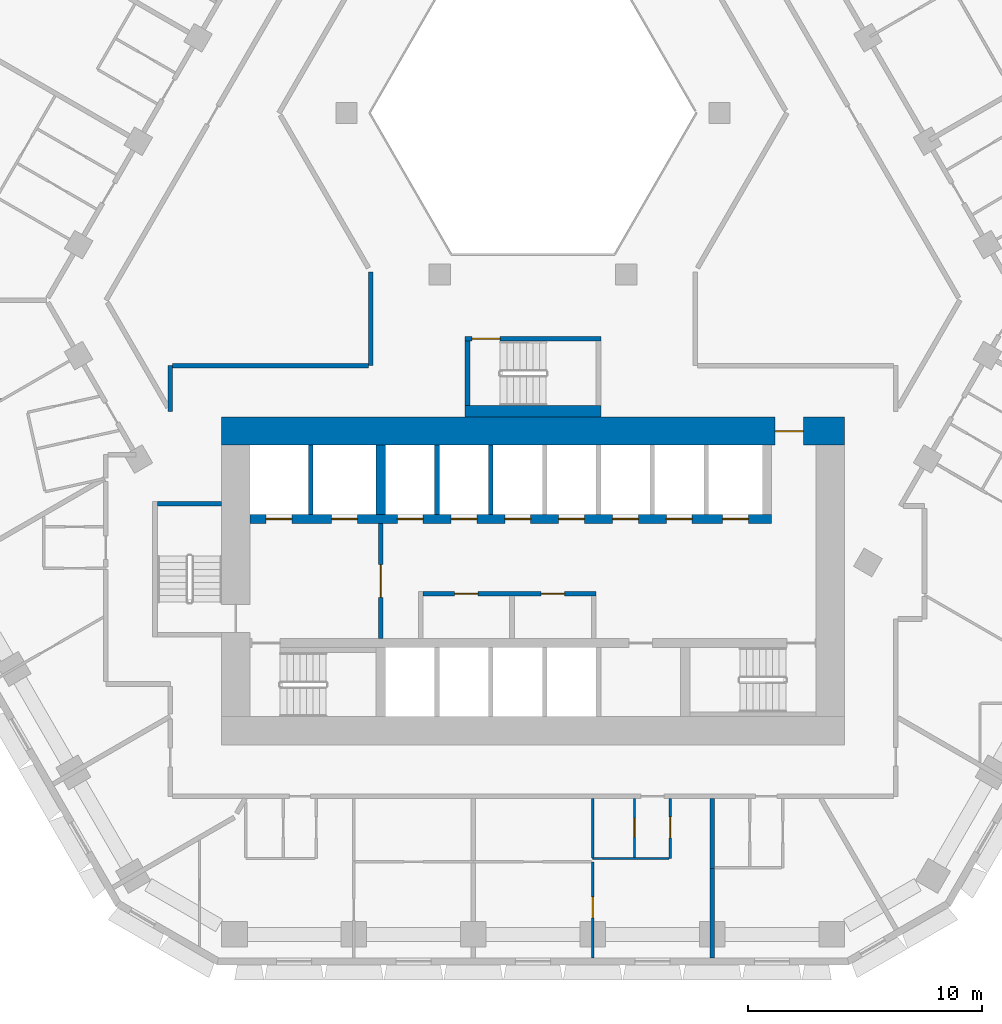
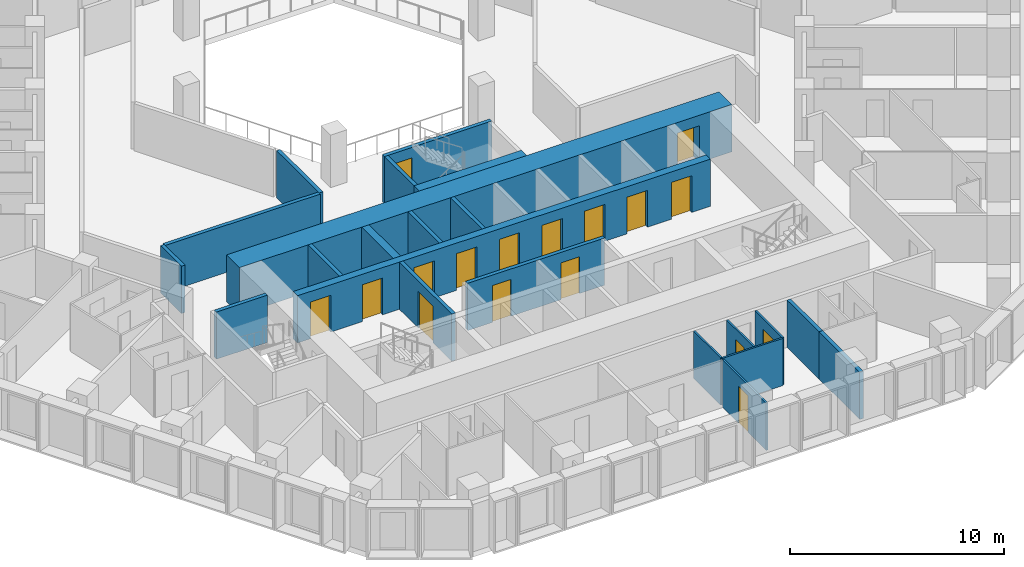
# One storey, part 5 of 16: 22 walls, 17 doors, 17 openings.
"""IFC4 building model written with IfcOpenShell, lengths in metres."""

from ifc_helpers import new_model, si_unit, direction, frame, frame_2d, origin, place, context, subcontext, project, spatial, rectangle, extrude, material, layer, layer_set, type_object, element, fill, save


model = new_model("IFC4")

# Units and contexts
model_context = context("Model", 3, precision=1e-05, world=origin(), true_north=direction((0.0, 1.0)))
body_context = subcontext(model_context, "Body", "Model", "MODEL_VIEW")
ifc_project = project(units=[si_unit("LENGTHUNIT", "METRE"), si_unit("AREAUNIT", "SQUARE_METRE"), si_unit("VOLUMEUNIT", "CUBIC_METRE"), si_unit("PLANEANGLEUNIT", "RADIAN"), si_unit("MASSUNIT", "GRAM", prefix="KILO")], contexts=[model_context])

# Site, building, storey
site_placement = place(None, origin())
site = spatial("IfcSite", under=ifc_project, at=site_placement, CompositionType="ELEMENT")
building_placement = place(site_placement, origin())
building = spatial("IfcBuilding", under=site, at=building_placement, Name="Beryl Residences", CompositionType="ELEMENT")
storey_placement = place(building_placement, frame((0.0, 0.0, 44.39990234375)))
storey = spatial("IfcBuildingStorey", under=building, at=storey_placement, Name="L13", CompositionType="ELEMENT", Elevation=44.39990234375)

# Walls
ifc_material_1 = material(Name="Gypsum board partition on steel studs", Category="steel")
ifc_layer_1 = layer(ifc_material_1, 0.10009765625)
ifc_layer_set_1 = layer_set([ifc_layer_1], Name="PT1 partition 100 mm gypsum board on steel studs")
wall_type_1 = type_object("IfcWallType", Name="PT1 partition 100 mm gypsum board on steel studs", PredefinedType="PARTITIONING", material=ifc_layer_set_1)
wall_1_placement = place(storey_placement, frame((2.552978515625, -21.300048828125, 0.0), z_axis=(0.0, 0.0, 1.0), x_axis=(0.0, -1.0, 0.0)))
element("IfcWall", 1, at=wall_1_placement, inside=storey, type_object=wall_type_1, Name="Wall PT1 L13 010", PredefinedType="PARTITIONING", context=body_context, shape_type="SweptSolid", body=[
    extrude(rectangle(XDim=2.530029296875, YDim=0.10009765625, at=frame_2d((1.26513671875, 0.0))), origin(), (0.0, 0.0, 1.0), 2.7001953125),
])
wall_2_placement = place(storey_placement, frame((2.552978515625, -23.860107421875, 0.0), z_axis=(0.0, 0.0, 1.0), x_axis=(1.0, 0.0, 0.0)))
element("IfcWall", 2, at=wall_2_placement, inside=storey, type_object=wall_type_1, Name="Wall PT1 L13 029", PredefinedType="PARTITIONING", context=body_context, shape_type="SweptSolid", body=[
    extrude(rectangle(XDim=3.26708984375, YDim=0.10009765625, at=frame_2d((1.633544921875, 0.0))), origin(), (0.0, 0.0, 1.0), 2.7001953125),
])

# Wall, opening, door
wall_3_placement = place(storey_placement, frame((4.339111328125, -23.81005859375, 0.0), z_axis=(0.0, 0.0, 1.0), x_axis=(0.0, 1.0, 0.0)))
wall_3 = element("IfcWall", 3, at=wall_3_placement, inside=storey, type_object=wall_type_1, Name="Wall PT1 L13 041", PredefinedType="PARTITIONING", context=body_context, shape_type="SweptSolid", body=[
    extrude(rectangle(XDim=2.510009765625, YDim=0.10009765625, at=frame_2d((1.2548828125, 0.0))), origin(), (0.0, 0.0, 1.0), 2.7001953125),
])
opening_1_placement = place(wall_3_placement, frame((0.8798828125, 0.0, 0.0)))
opening_1 = element("IfcOpeningElement", 4, at=opening_1_placement, cuts=wall_3, Name="Opening D0529", PredefinedType="OPENING", context=body_context, shape_type="SweptSolid", body=[
    extrude(rectangle(XDim=0.800048828125, YDim=2.10009765625, at=frame_2d((0.39990234375, 1.050048828125))), frame((0.0, 0.06005859375, 0.0), z_axis=(0.0, -1.0, 0.0), x_axis=(1.0, 0.0, 0.0)), (0.0, 0.0, 1.0), 0.1201171875),
])
ifc_material_2 = material(Name="Timber door leaf", Category="wood")
door_type_1 = type_object("IfcDoorType", Name="D3 bathroom door 800 x 2100 mm", OperationType="SINGLE_SWING_LEFT", PredefinedType="DOOR", material=ifc_material_2)
door_1_placement = place(opening_1_placement, origin())
door_1 = element("IfcDoor", 5, at=door_1_placement, inside=storey, type_object=door_type_1, Name="Door D0529 L13 001", OperationType="SINGLE_SWING_LEFT", OverallHeight=2.10009765625, OverallWidth=0.800048828125, PredefinedType="DOOR", context=body_context, shape_type="SweptSolid", body=[
    extrude(rectangle(XDim=0.800048828125, YDim=2.10009765625, at=frame_2d((0.39990234375, 1.050048828125))), frame((0.0, 0.02490234375, 0.0), z_axis=(0.0, -1.0, 0.0), x_axis=(1.0, 0.0, 0.0)), (0.0, 0.0, 1.0), 0.050048828125),
])
fill(opening_1, door_1)

wall_4_placement = place(storey_placement, frame((5.87109375, -23.85888671875, 0.0), z_axis=(0.0, 0.0, 1.0), x_axis=(0.0, 1.0, 0.0)))
wall_4 = element("IfcWall", 6, at=wall_4_placement, inside=storey, type_object=wall_type_1, Name="Wall PT1 L13 042", PredefinedType="PARTITIONING", context=body_context, shape_type="SweptSolid", body=[
    extrude(rectangle(XDim=2.558837890625, YDim=0.10009765625, at=frame_2d((1.279296875, 0.0))), origin(), (0.0, 0.0, 1.0), 2.7001953125),
])
opening_2_placement = place(wall_4_placement, frame((0.87890625, 0.0, 0.0)))
opening_2 = element("IfcOpeningElement", 7, at=opening_2_placement, cuts=wall_4, Name="Opening D0528", PredefinedType="OPENING", context=body_context, shape_type="SweptSolid", body=[
    extrude(rectangle(XDim=0.89990234375, YDim=2.10009765625, at=frame_2d((0.449951171875, 1.050048828125))), frame((0.0, 0.06005859375, 0.0), z_axis=(0.0, -1.0, 0.0), x_axis=(1.0, 0.0, 0.0)), (0.0, 0.0, 1.0), 0.1201171875),
])
ifc_material_3 = material(Name="Timber door leaf", Category="wood")
door_type_2 = type_object("IfcDoorType", Name="D2 room door 900 x 2100 mm", OperationType="SINGLE_SWING_LEFT", PredefinedType="DOOR", material=ifc_material_3)
door_2_placement = place(opening_2_placement, origin())
door_2 = element("IfcDoor", 8, at=door_2_placement, inside=storey, type_object=door_type_2, Name="Door D0528 L13 001", OperationType="SINGLE_SWING_RIGHT", OverallHeight=2.10009765625, OverallWidth=0.89990234375, PredefinedType="DOOR", context=body_context, shape_type="SweptSolid", body=[
    extrude(rectangle(XDim=0.89990234375, YDim=2.10009765625, at=frame_2d((0.449951171875, 1.050048828125))), frame((0.0, 0.02490234375, 0.0), z_axis=(0.0, -1.0, 0.0), x_axis=(1.0, 0.0, 0.0)), (0.0, 0.0, 1.0), 0.050048828125),
])
fill(opening_2, door_2)

wall_5_placement = place(storey_placement, frame((2.552978515625, -28.10009765625, 0.0), z_axis=(0.0, 0.0, 1.0), x_axis=(0.0, 1.0, 0.0)))
wall_5 = element("IfcWall", 9, at=wall_5_placement, inside=storey, type_object=wall_type_1, Name="Wall PT1 L13 048", PredefinedType="PARTITIONING", context=body_context, shape_type="SweptSolid", body=[
    extrude(rectangle(XDim=4.10009765625, YDim=0.10009765625, at=frame_2d((2.050048828125, 0.0))), origin(), (0.0, 0.0, 1.0), 2.7001953125),
])
opening_3_placement = place(wall_5_placement, frame((1.699951171875, 0.0, 0.0)))
opening_3 = element("IfcOpeningElement", 10, at=opening_3_placement, cuts=wall_5, Name="Opening D0530", PredefinedType="OPENING", context=body_context, shape_type="SweptSolid", body=[
    extrude(rectangle(XDim=0.89990234375, YDim=2.10009765625, at=frame_2d((0.449951171875, 1.050048828125))), frame((0.0, 0.06005859375, 0.0), z_axis=(0.0, -1.0, 0.0), x_axis=(1.0, 0.0, 0.0)), (0.0, 0.0, 1.0), 0.1201171875),
])
door_3_placement = place(opening_3_placement, origin())
door_3 = element("IfcDoor", 11, at=door_3_placement, inside=storey, type_object=door_type_2, Name="Door D0530 L13 001", OperationType="SINGLE_SWING_RIGHT", OverallHeight=2.10009765625, OverallWidth=0.89990234375, PredefinedType="DOOR", context=body_context, shape_type="SweptSolid", body=[
    extrude(rectangle(XDim=0.89990234375, YDim=2.10009765625, at=frame_2d((0.449951171875, 1.050048828125))), frame((0.0, 0.02490234375, 0.0), z_axis=(0.0, -1.0, 0.0), x_axis=(1.0, 0.0, 0.0)), (0.0, 0.0, 1.0), 0.050048828125),
])
fill(opening_3, door_3)

ifc_material_4 = material(Name="Concrete masonry", Category="masonry")
ifc_layer_2 = layer(ifc_material_4, 0.199951171875)
ifc_layer_set_2 = layer_set([ifc_layer_2], Name="PT13 lobby wall 200 mm")
wall_type_2 = type_object("IfcWallType", Name="PT13 lobby wall 200 mm", PredefinedType="PARTITIONING", material=ifc_layer_set_2)
wall_6_placement = place(storey_placement, frame((-6.5, -14.449951171875, 0.0), z_axis=(0.0, 0.0, 1.0), x_axis=(0.0, 1.0, 0.0)))
wall_6 = element("IfcWall", 12, at=wall_6_placement, inside=storey, type_object=wall_type_2, Name="Lobby wall 06", PredefinedType="PARTITIONING", context=body_context, shape_type="SweptSolid", body=[
    extrude(rectangle(XDim=4.89990234375, YDim=0.199951171875, at=frame_2d((2.449951171875, 0.0))), origin(), (0.0, 0.0, 1.0), 2.7001953125),
])
opening_4_placement = place(wall_6_placement, frame((3.14990234375, 0.0, 0.0), z_axis=(0.0, 0.0, 1.0), x_axis=(-1.0, 0.0, 0.0)))
opening_4 = element("IfcOpeningElement", 13, at=opening_4_placement, cuts=wall_6, Name="Opening FD-FFL", PredefinedType="OPENING", context=body_context, shape_type="SweptSolid", body=[
    extrude(rectangle(XDim=1.39990234375, YDim=2.10009765625, at=frame_2d((0.699951171875, 1.050048828125))), frame((0.0, 0.10986328125, 0.0), z_axis=(0.0, -1.0, 0.0), x_axis=(1.0, 0.0, 0.0)), (0.0, 0.0, 1.0), 0.219970703125),
])
ifc_material_5 = material(Name="Steel door leaf in steel frame", Category="steel")
door_type_3 = type_object("IfcDoorType", Name="D5 lobby door 1400 x 2100 mm", OperationType="DOUBLE_DOOR_SINGLE_SWING", PredefinedType="DOOR", material=ifc_material_5)
door_4_placement = place(opening_4_placement, origin())
door_4 = element("IfcDoor", 14, at=door_4_placement, inside=storey, type_object=door_type_3, Name="Door FD-FFL L13 001", OperationType="DOUBLE_DOOR_SINGLE_SWING", OverallHeight=2.10009765625, OverallWidth=1.39990234375, PredefinedType="DOOR", context=body_context, shape_type="SweptSolid", body=[
    extrude(rectangle(XDim=1.39990234375, YDim=2.10009765625, at=frame_2d((0.699951171875, 1.050048828125))), frame((0.0, 0.02490234375, 0.0), z_axis=(0.0, -1.0, 0.0), x_axis=(1.0, 0.0, 0.0)), (0.0, 0.0, 1.0), 0.050048828125),
])
fill(opening_4, door_4)

# Wall, openings, doors
wall_7_placement = place(storey_placement, frame((-4.699951171875, -12.550048828125, 0.0), z_axis=(0.0, 0.0, 1.0), x_axis=(1.0, 0.0, 0.0)))
wall_7 = element("IfcWall", 15, at=wall_7_placement, inside=storey, type_object=wall_type_2, Name="Lobby wall 08", PredefinedType="PARTITIONING", context=body_context, shape_type="SweptSolid", body=[
    extrude(rectangle(XDim=7.39990234375, YDim=0.199951171875, at=frame_2d((3.699951171875, 0.0))), origin(), (0.0, 0.0, 1.0), 2.7001953125),
])
opening_5_placement = place(wall_7_placement, frame((2.35009765625, 0.0, 0.0), z_axis=(0.0, 0.0, 1.0), x_axis=(-1.0, 0.0, 0.0)))
opening_5 = element("IfcOpeningElement", 16, at=opening_5_placement, cuts=wall_7, Name="Opening CD-D-A1", PredefinedType="OPENING", context=body_context, shape_type="SweptSolid", body=[
    extrude(rectangle(XDim=1.0, YDim=2.10009765625, at=frame_2d((0.5, 1.050048828125))), frame((0.0, 0.10986328125, 0.0), z_axis=(0.0, -1.0, 0.0), x_axis=(1.0, 0.0, 0.0)), (0.0, 0.0, 1.0), 0.219970703125),
])
opening_6_placement = place(wall_7_placement, frame((6.050048828125, 0.0, 0.0), z_axis=(0.0, 0.0, 1.0), x_axis=(-1.0, 0.0, 0.0)))
opening_6 = element("IfcOpeningElement", 17, at=opening_6_placement, cuts=wall_7, Name="Opening CD-D-A2", PredefinedType="OPENING", context=body_context, shape_type="SweptSolid", body=[
    extrude(rectangle(XDim=1.0, YDim=2.10009765625, at=frame_2d((0.5, 1.050048828125))), frame((0.0, 0.10986328125, 0.0), z_axis=(0.0, -1.0, 0.0), x_axis=(1.0, 0.0, 0.0)), (0.0, 0.0, 1.0), 0.219970703125),
])
ifc_material_6 = material(Name="Steel door leaf in steel frame", Category="steel")
door_type_4 = type_object("IfcDoorType", Name="D18 service room door 1000 x 2100 mm", OperationType="SINGLE_SWING_LEFT", PredefinedType="DOOR", material=ifc_material_6)
door_5_placement = place(opening_5_placement, origin())
door_5 = element("IfcDoor", 18, at=door_5_placement, inside=storey, type_object=door_type_4, Name="Door CD-D-A1 L13 001", OperationType="SINGLE_SWING_RIGHT", OverallHeight=2.10009765625, OverallWidth=1.0, PredefinedType="DOOR", context=body_context, shape_type="SweptSolid", body=[
    extrude(rectangle(XDim=1.0, YDim=2.10009765625, at=frame_2d((0.5, 1.050048828125))), frame((0.0, 0.02490234375, 0.0), z_axis=(0.0, -1.0, 0.0), x_axis=(1.0, 0.0, 0.0)), (0.0, 0.0, 1.0), 0.050048828125),
])
fill(opening_5, door_5)
door_6_placement = place(opening_6_placement, origin())
door_6 = element("IfcDoor", 19, at=door_6_placement, inside=storey, type_object=door_type_4, Name="Door CD-D-A2 L13 001", OperationType="SINGLE_SWING_LEFT", OverallHeight=2.10009765625, OverallWidth=1.0, PredefinedType="DOOR", context=body_context, shape_type="SweptSolid", body=[
    extrude(rectangle(XDim=1.0, YDim=2.10009765625, at=frame_2d((0.5, 1.050048828125))), frame((0.0, 0.02490234375, 0.0), z_axis=(0.0, -1.0, 0.0), x_axis=(1.0, 0.0, 0.0)), (0.0, 0.0, 1.0), 0.050048828125),
])
fill(opening_6, door_6)

# Walls
ifc_material_7 = material(Name="Acoustic double stud gypsum board wall")
ifc_layer_3 = layer(ifc_material_7, 0.199951171875)
ifc_layer_set_3 = layer_set([ifc_layer_3], Name="PT3 party wall 200 mm acoustic double stud")
wall_type_3 = type_object("IfcWallType", Name="PT3 party wall 200 mm acoustic double stud", PredefinedType="PARTITIONING", material=ifc_layer_set_3)
wall_8_placement = place(storey_placement, frame((7.656982421875, -21.300048828125, 0.0), z_axis=(0.0, 0.0, 1.0), x_axis=(0.0, -1.0, 0.0)))
element("IfcWall", 20, at=wall_8_placement, inside=storey, type_object=wall_type_3, Name="Wall PT3 L13 003", PredefinedType="PARTITIONING", context=body_context, shape_type="SweptSolid", body=[
    extrude(rectangle(XDim=2.97998046875, YDim=0.199951171875, at=frame_2d((1.489990234375, 0.0))), origin(), (0.0, 0.0, 1.0), 2.7001953125),
])
wall_9_placement = place(storey_placement, frame((7.656982421875, -28.10009765625, 0.0), z_axis=(0.0, 0.0, 1.0), x_axis=(0.0, 1.0, 0.0)))
element("IfcWall", 21, at=wall_9_placement, inside=storey, type_object=wall_type_3, Name="Wall PT3 L13 013", PredefinedType="PARTITIONING", context=body_context, shape_type="SweptSolid", body=[
    extrude(rectangle(XDim=3.860107421875, YDim=0.199951171875, at=frame_2d((1.93017578125, 0.0))), origin(), (0.0, 0.0, 1.0), 2.7001953125),
])
ifc_material_8 = material(Name="Double stud gypsum board wall")
ifc_layer_4 = layer(ifc_material_8, 0.199951171875)
ifc_layer_set_4 = layer_set([ifc_layer_4], Name="PT4 corridor wall 200 mm double stud")
wall_type_4 = type_object("IfcWallType", Name="PT4 corridor wall 200 mm double stud", PredefinedType="PARTITIONING", material=ifc_layer_set_4)
wall_10_placement = place(storey_placement, frame((-15.39990234375, -2.800048828125, 0.0), z_axis=(0.0, 0.0, 1.0), x_axis=(1.0, 0.0, 0.0)))
element("IfcWall", 22, at=wall_10_placement, inside=storey, type_object=wall_type_4, Name="Wall PT4 L13 015", PredefinedType="PARTITIONING", context=body_context, shape_type="SweptSolid", body=[
    extrude(rectangle(XDim=8.371826171875, YDim=0.199951171875, at=frame_2d((4.18603515625, 0.0))), origin(), (0.0, 0.0, 1.0), 2.7001953125),
])
wall_11_placement = place(storey_placement, frame((-6.927978515625, -2.800048828125, 0.0), z_axis=(0.0, 0.0, 1.0), x_axis=(0.0, 1.0, 0.0)))
element("IfcWall", 23, at=wall_11_placement, inside=storey, type_object=wall_type_4, Name="Wall PT4 L13 030", PredefinedType="PARTITIONING", context=body_context, shape_type="SweptSolid", body=[
    extrude(rectangle(XDim=4.0, YDim=0.199951171875, at=frame_2d((2.0, 0.0))), origin(), (0.0, 0.0, 1.0), 2.7001953125),
])
wall_12_placement = place(storey_placement, frame((-15.5, -4.75390625, 0.0), z_axis=(0.0, 0.0, 1.0), x_axis=(0.0, 1.0, 0.0)))
element("IfcWall", 24, at=wall_12_placement, inside=storey, type_object=wall_type_4, Name="Wall PT4 L13 032", PredefinedType="PARTITIONING", context=body_context, shape_type="SweptSolid", body=[
    extrude(rectangle(XDim=1.953857421875, YDim=0.199951171875, at=frame_2d((0.97705078125, 0.0))), origin(), (0.0, 0.0, 1.0), 2.7001953125),
])

# Wall, opening, door
ifc_material_9 = material(Name="Concrete C40/50", Category="concrete")
ifc_layer_5 = layer(ifc_material_9, 0.199951171875)
ifc_layer_set_5 = layer_set([ifc_layer_5], Name="PT5 stair enclosure wall 200 mm reinforced concrete C40/50")
wall_type_5 = type_object("IfcWallType", Name="PT5 stair enclosure wall 200 mm reinforced concrete C40/50", PredefinedType="SOLIDWALL", material=ifc_layer_set_5)
wall_13_placement = place(storey_placement, frame((-2.89990234375, -1.64990234375, 0.0), z_axis=(0.0, 0.0, 1.0), x_axis=(1.0, 0.0, 0.0)))
wall_13 = element("IfcWall", 25, at=wall_13_placement, inside=storey, type_object=wall_type_5, Name="Wall PT5 L13 001", PredefinedType="SOLIDWALL", context=body_context, shape_type="SweptSolid", body=[
    extrude(rectangle(XDim=5.7998046875, YDim=0.199951171875, at=frame_2d((2.89990234375, 0.0))), origin(), (0.0, 0.0, 1.0), 2.7001953125),
])
opening_7_placement = place(wall_13_placement, frame((0.300048828125, 0.0, 0.0)))
opening_7 = element("IfcOpeningElement", 26, at=opening_7_placement, cuts=wall_13, Name="Opening DS04", PredefinedType="OPENING", context=body_context, shape_type="SweptSolid", body=[
    extrude(rectangle(XDim=1.199951171875, YDim=2.10009765625, at=frame_2d((0.60009765625, 1.050048828125))), frame((0.0, 0.10986328125, 0.0), z_axis=(0.0, -1.0, 0.0), x_axis=(1.0, 0.0, 0.0)), (0.0, 0.0, 1.0), 0.219970703125),
])
ifc_material_10 = material(Name="Steel door leaf in steel frame", Category="steel")
door_type_5 = type_object("IfcDoorType", Name="D4 stair door 1200 x 2100 mm", OperationType="SINGLE_SWING_LEFT", PredefinedType="DOOR", material=ifc_material_10)
door_7_placement = place(opening_7_placement, origin())
door_7 = element("IfcDoor", 27, at=door_7_placement, inside=storey, type_object=door_type_5, Name="Door DS04 L13 001", OperationType="SINGLE_SWING_LEFT", OverallHeight=2.10009765625, OverallWidth=1.199951171875, PredefinedType="DOOR", context=body_context, shape_type="SweptSolid", body=[
    extrude(rectangle(XDim=1.199951171875, YDim=2.10009765625, at=frame_2d((0.60009765625, 1.050048828125))), frame((0.0, 0.02490234375, 0.0), z_axis=(0.0, -1.0, 0.0), x_axis=(1.0, 0.0, 0.0)), (0.0, 0.0, 1.0), 0.050048828125),
])
fill(opening_7, door_7)

# Walls
for number, where, z_axis, x_axis, name in (
    (28, (-2.800048828125, -4.5, 0.0), (0.0, 0.0, 1.0), (0.0, 1.0, 0.0), "Wall PT5 L13 002"),
    (29, (-16.050048828125, -8.699951171875, 0.0), (0.0, 0.0, 1.0), (1.0, 0.0, 0.0), "Stair wall 03"),
):
    element("IfcWall", number, at=place(storey_placement, frame(where, z_axis=z_axis, x_axis=x_axis)), inside=storey, type_object=wall_type_5, Name=name, PredefinedType="SOLIDWALL", context=body_context, shape_type="SweptSolid", body=[
        extrude(rectangle(XDim=2.75, YDim=0.199951171875, at=frame_2d((1.375, 0.0))), origin(), (0.0, 0.0, 1.0), 2.7001953125),
    ])
ifc_material_11 = material(Name="Concrete C40/50", Category="concrete")
ifc_layer_6 = layer(ifc_material_11, 0.5)
ifc_layer_set_6 = layer_set([ifc_layer_6], Name="PT5-500 stair enclosure wall 500 mm")
wall_type_6 = type_object("IfcWallType", Name="PT5-500 stair enclosure wall 500 mm", PredefinedType="SOLIDWALL", material=ifc_layer_set_6)
wall_14_placement = place(storey_placement, frame((-2.89990234375, -4.75, 0.0), z_axis=(0.0, 0.0, 1.0), x_axis=(1.0, 0.0, 0.0)))
element("IfcWall", 30, at=wall_14_placement, inside=storey, type_object=wall_type_6, Name="Wall PT5-500 L13 001", PredefinedType="SOLIDWALL", context=body_context, shape_type="SweptSolid", body=[
    extrude(rectangle(XDim=5.7998046875, YDim=0.5, at=frame_2d((2.89990234375, 0.0))), origin(), (0.0, 0.0, 1.0), 2.7001953125),
])
ifc_material_12 = material(Name="Concrete C40/50", Category="concrete")
ifc_layer_7 = layer(ifc_material_12, 0.199951171875)
ifc_layer_set_7 = layer_set([ifc_layer_7], Name="PT6 lift shaft wall 200 mm reinforced concrete C40/50")
wall_type_7 = type_object("IfcWallType", Name="PT6 lift shaft wall 200 mm reinforced concrete C40/50", PredefinedType="SOLIDWALL", material=ifc_layer_set_7)
for number, where, z_axis, x_axis, name in (
    (31, (-9.5, -9.14990234375, 0.0), (0.0, 0.0, 1.0), (0.0, 1.0, 0.0), "Lift shaft wall 05"),
    (32, (-4.10009765625, -9.14990234375, 0.0), (0.0, 0.0, 1.0), (0.0, 1.0, 0.0), "Lift shaft wall 10"),
    (33, (-1.800048828125, -9.14990234375, 0.0), (0.0, 0.0, 1.0), (0.0, 1.0, 0.0), "Lift shaft wall 12"),
):
    element("IfcWall", number, at=place(storey_placement, frame(where, z_axis=z_axis, x_axis=x_axis)), inside=storey, type_object=wall_type_7, Name=name, PredefinedType="SOLIDWALL", context=body_context, shape_type="SweptSolid", body=[
        extrude(rectangle(XDim=2.949951171875, YDim=0.199951171875, at=frame_2d((1.47509765625, 0.0))), origin(), (0.0, 0.0, 1.0), 2.7001953125),
    ])

# Wall, opening, door
ifc_material_13 = material(Name="Concrete C80/95", Category="concrete")
ifc_layer_8 = layer(ifc_material_13, 1.199951171875)
ifc_layer_set_8 = layer_set([ifc_layer_8], Name="SW1 core outer wall 1200 mm C80/95")
wall_type_8 = type_object("IfcWallType", Name="SW1 core outer wall 1200 mm C80/95", PredefinedType="SHEAR", material=ifc_layer_set_8)
wall_15_placement = place(storey_placement, frame((-13.300048828125, -5.60009765625, 0.0), z_axis=(0.0, 0.0, 1.0), x_axis=(1.0, 0.0, 0.0)))
wall_15 = element("IfcWall", 34, at=wall_15_placement, inside=storey, type_object=wall_type_8, Name="Core wall N L13", PredefinedType="SHEAR", context=body_context, shape_type="SweptSolid", body=[
    extrude(rectangle(XDim=26.60009765625, YDim=1.199951171875, at=frame_2d((13.300048828125, 0.0))), origin(), (0.0, 0.0, 1.0), 2.7001953125),
])
opening_8_placement = place(wall_15_placement, frame((23.64990234375, 0.0, 0.0)))
opening_8 = element("IfcOpeningElement", 35, at=opening_8_placement, cuts=wall_15, Name="Opening FD-NORTH", PredefinedType="OPENING", context=body_context, shape_type="SweptSolid", body=[
    extrude(rectangle(XDim=1.199951171875, YDim=2.10009765625, at=frame_2d((0.60009765625, 1.050048828125))), frame((0.0, 0.60986328125, 0.0), z_axis=(0.0, -1.0, 0.0), x_axis=(1.0, 0.0, 0.0)), (0.0, 0.0, 1.0), 1.219970703125),
])
ifc_material_14 = material(Name="Steel door leaf in steel frame", Category="steel")
door_type_6 = type_object("IfcDoorType", Name="D22 lobby door 1200 x 2100 mm", OperationType="DOUBLE_DOOR_SINGLE_SWING", PredefinedType="DOOR", material=ifc_material_14)
door_8_placement = place(opening_8_placement, origin())
door_8 = element("IfcDoor", 36, at=door_8_placement, inside=storey, type_object=door_type_6, Name="Door FD-NORTH L13 001", OperationType="DOUBLE_DOOR_SINGLE_SWING", OverallHeight=2.10009765625, OverallWidth=1.199951171875, PredefinedType="DOOR", context=body_context, shape_type="SweptSolid", body=[
    extrude(rectangle(XDim=1.199951171875, YDim=2.10009765625, at=frame_2d((0.60009765625, 1.050048828125))), frame((0.0, 0.02490234375, 0.0), z_axis=(0.0, -1.0, 0.0), x_axis=(1.0, 0.0, 0.0)), (0.0, 0.0, 1.0), 0.050048828125),
])
fill(opening_8, door_8)

# Wall, openings, doors
ifc_material_15 = material(Name="Concrete C80/95", Category="concrete")
ifc_layer_9 = layer(ifc_material_15, 0.39990234375)
ifc_layer_set_9 = layer_set([ifc_layer_9], Name="SW6 core internal wall 400 mm C80/95")
wall_type_9 = type_object("IfcWallType", Name="SW6 core internal wall 400 mm C80/95", PredefinedType="SHEAR", material=ifc_layer_set_9)
wall_16_placement = place(storey_placement, frame((-12.10009765625, -9.35009765625, 0.0), z_axis=(0.0, 0.0, 1.0), x_axis=(1.0, 0.0, 0.0)))
wall_16 = element("IfcWall", 37, at=wall_16_placement, inside=storey, type_object=wall_type_9, Name="Core wall SP2 L13", PredefinedType="SHEAR", context=body_context, shape_type="SweptSolid", body=[
    extrude(rectangle(XDim=22.300048828125, YDim=0.39990234375, at=frame_2d((11.14990234375, 0.0))), origin(), (0.0, 0.0, 1.0), 2.7001953125),
])
opening_9_placement = place(wall_16_placement, frame((0.699951171875, 0.0, 0.0)))
opening_9 = element("IfcOpeningElement", 38, at=opening_9_placement, cuts=wall_16, Name="Opening LD-FF1", PredefinedType="OPENING", context=body_context, shape_type="SweptSolid", body=[
    extrude(rectangle(XDim=1.10009765625, YDim=2.10009765625, at=frame_2d((0.550048828125, 1.050048828125))), frame((0.0, 0.2099609375, 0.0), z_axis=(0.0, -1.0, 0.0), x_axis=(1.0, 0.0, 0.0)), (0.0, 0.0, 1.0), 0.419921875),
])
opening_10_placement = place(wall_16_placement, frame((3.5, 0.0, 0.0)))
opening_10 = element("IfcOpeningElement", 39, at=opening_10_placement, cuts=wall_16, Name="Opening LD-FF2", PredefinedType="OPENING", context=body_context, shape_type="SweptSolid", body=[
    extrude(rectangle(XDim=1.10009765625, YDim=2.10009765625, at=frame_2d((0.550048828125, 1.050048828125))), frame((0.0, 0.2099609375, 0.0), z_axis=(0.0, -1.0, 0.0), x_axis=(1.0, 0.0, 0.0)), (0.0, 0.0, 1.0), 0.419921875),
])
opening_11_placement = place(wall_16_placement, frame((6.300048828125, 0.0, 0.0)))
opening_11 = element("IfcOpeningElement", 40, at=opening_11_placement, cuts=wall_16, Name="Opening LD-LR1", PredefinedType="OPENING", context=body_context, shape_type="SweptSolid", body=[
    extrude(rectangle(XDim=1.10009765625, YDim=2.10009765625, at=frame_2d((0.550048828125, 1.050048828125))), frame((0.0, 0.2099609375, 0.0), z_axis=(0.0, -1.0, 0.0), x_axis=(1.0, 0.0, 0.0)), (0.0, 0.0, 1.0), 0.419921875),
])
opening_12_placement = place(wall_16_placement, frame((8.60009765625, 0.0, 0.0)))
opening_12 = element("IfcOpeningElement", 41, at=opening_12_placement, cuts=wall_16, Name="Opening LD-LR2", PredefinedType="OPENING", context=body_context, shape_type="SweptSolid", body=[
    extrude(rectangle(XDim=1.10009765625, YDim=2.10009765625, at=frame_2d((0.550048828125, 1.050048828125))), frame((0.0, 0.2099609375, 0.0), z_axis=(0.0, -1.0, 0.0), x_axis=(1.0, 0.0, 0.0)), (0.0, 0.0, 1.0), 0.419921875),
])
opening_13_placement = place(wall_16_placement, frame((10.89990234375, 0.0, 0.0)))
opening_13 = element("IfcOpeningElement", 42, at=opening_13_placement, cuts=wall_16, Name="Opening LD-LR3", PredefinedType="OPENING", context=body_context, shape_type="SweptSolid", body=[
    extrude(rectangle(XDim=1.10009765625, YDim=2.10009765625, at=frame_2d((0.550048828125, 1.050048828125))), frame((0.0, 0.2099609375, 0.0), z_axis=(0.0, -1.0, 0.0), x_axis=(1.0, 0.0, 0.0)), (0.0, 0.0, 1.0), 0.419921875),
])
opening_14_placement = place(wall_16_placement, frame((13.199951171875, 0.0, 0.0)))
opening_14 = element("IfcOpeningElement", 43, at=opening_14_placement, cuts=wall_16, Name="Opening LD-LR4", PredefinedType="OPENING", context=body_context, shape_type="SweptSolid", body=[
    extrude(rectangle(XDim=1.10009765625, YDim=2.10009765625, at=frame_2d((0.550048828125, 1.050048828125))), frame((0.0, 0.2099609375, 0.0), z_axis=(0.0, -1.0, 0.0), x_axis=(1.0, 0.0, 0.0)), (0.0, 0.0, 1.0), 0.419921875),
])
opening_15_placement = place(wall_16_placement, frame((15.5, 0.0, 0.0)))
opening_15 = element("IfcOpeningElement", 44, at=opening_15_placement, cuts=wall_16, Name="Opening LD-LR5", PredefinedType="OPENING", context=body_context, shape_type="SweptSolid", body=[
    extrude(rectangle(XDim=1.10009765625, YDim=2.10009765625, at=frame_2d((0.550048828125, 1.050048828125))), frame((0.0, 0.2099609375, 0.0), z_axis=(0.0, -1.0, 0.0), x_axis=(1.0, 0.0, 0.0)), (0.0, 0.0, 1.0), 0.419921875),
])
opening_16_placement = place(wall_16_placement, frame((17.800048828125, 0.0, 0.0)))
opening_16 = element("IfcOpeningElement", 45, at=opening_16_placement, cuts=wall_16, Name="Opening LD-LR6", PredefinedType="OPENING", context=body_context, shape_type="SweptSolid", body=[
    extrude(rectangle(XDim=1.10009765625, YDim=2.10009765625, at=frame_2d((0.550048828125, 1.050048828125))), frame((0.0, 0.2099609375, 0.0), z_axis=(0.0, -1.0, 0.0), x_axis=(1.0, 0.0, 0.0)), (0.0, 0.0, 1.0), 0.419921875),
])
opening_17_placement = place(wall_16_placement, frame((20.199951171875, 0.0, 0.0)))
opening_17 = element("IfcOpeningElement", 46, at=opening_17_placement, cuts=wall_16, Name="Opening LD-SL1", PredefinedType="OPENING", context=body_context, shape_type="SweptSolid", body=[
    extrude(rectangle(XDim=1.10009765625, YDim=2.10009765625, at=frame_2d((0.550048828125, 1.050048828125))), frame((0.0, 0.2099609375, 0.0), z_axis=(0.0, -1.0, 0.0), x_axis=(1.0, 0.0, 0.0)), (0.0, 0.0, 1.0), 0.419921875),
])
ifc_material_16 = material(Name="Stainless steel sliding door", Category="steel")
door_type_7 = type_object("IfcDoorType", Name="LD1 lift landing door 1100 x 2100 mm", OperationType="DOUBLE_DOOR_SLIDING", PredefinedType="DOOR", material=ifc_material_16)
door_9_placement = place(opening_9_placement, origin())
door_9 = element("IfcDoor", 47, at=door_9_placement, inside=storey, type_object=door_type_7, Name="Lift landing door FF1", OperationType="DOUBLE_DOOR_SLIDING", OverallHeight=2.10009765625, OverallWidth=1.10009765625, PredefinedType="DOOR", context=body_context, shape_type="SweptSolid", body=[
    extrude(rectangle(XDim=1.10009765625, YDim=2.10009765625, at=frame_2d((0.550048828125, 1.050048828125))), frame((0.0, 0.02490234375, 0.0), z_axis=(0.0, -1.0, 0.0), x_axis=(1.0, 0.0, 0.0)), (0.0, 0.0, 1.0), 0.050048828125),
])
fill(opening_9, door_9)
door_10_placement = place(opening_10_placement, origin())
door_10 = element("IfcDoor", 48, at=door_10_placement, inside=storey, type_object=door_type_7, Name="Lift landing door FF2", OperationType="DOUBLE_DOOR_SLIDING", OverallHeight=2.10009765625, OverallWidth=1.10009765625, PredefinedType="DOOR", context=body_context, shape_type="SweptSolid", body=[
    extrude(rectangle(XDim=1.10009765625, YDim=2.10009765625, at=frame_2d((0.550048828125, 1.050048828125))), frame((0.0, 0.02490234375, 0.0), z_axis=(0.0, -1.0, 0.0), x_axis=(1.0, 0.0, 0.0)), (0.0, 0.0, 1.0), 0.050048828125),
])
fill(opening_10, door_10)
door_11_placement = place(opening_11_placement, origin())
door_11 = element("IfcDoor", 49, at=door_11_placement, inside=storey, type_object=door_type_7, Name="Lift landing door LR1", OperationType="DOUBLE_DOOR_SLIDING", OverallHeight=2.10009765625, OverallWidth=1.10009765625, PredefinedType="DOOR", context=body_context, shape_type="SweptSolid", body=[
    extrude(rectangle(XDim=1.10009765625, YDim=2.10009765625, at=frame_2d((0.550048828125, 1.050048828125))), frame((0.0, 0.02490234375, 0.0), z_axis=(0.0, -1.0, 0.0), x_axis=(1.0, 0.0, 0.0)), (0.0, 0.0, 1.0), 0.050048828125),
])
fill(opening_11, door_11)
door_12_placement = place(opening_12_placement, origin())
door_12 = element("IfcDoor", 50, at=door_12_placement, inside=storey, type_object=door_type_7, Name="Lift landing door LR2", OperationType="DOUBLE_DOOR_SLIDING", OverallHeight=2.10009765625, OverallWidth=1.10009765625, PredefinedType="DOOR", context=body_context, shape_type="SweptSolid", body=[
    extrude(rectangle(XDim=1.10009765625, YDim=2.10009765625, at=frame_2d((0.550048828125, 1.050048828125))), frame((0.0, 0.02490234375, 0.0), z_axis=(0.0, -1.0, 0.0), x_axis=(1.0, 0.0, 0.0)), (0.0, 0.0, 1.0), 0.050048828125),
])
fill(opening_12, door_12)
door_13_placement = place(opening_13_placement, origin())
door_13 = element("IfcDoor", 51, at=door_13_placement, inside=storey, type_object=door_type_7, Name="Lift landing door LR3", OperationType="DOUBLE_DOOR_SLIDING", OverallHeight=2.10009765625, OverallWidth=1.10009765625, PredefinedType="DOOR", context=body_context, shape_type="SweptSolid", body=[
    extrude(rectangle(XDim=1.10009765625, YDim=2.10009765625, at=frame_2d((0.550048828125, 1.050048828125))), frame((0.0, 0.02490234375, 0.0), z_axis=(0.0, -1.0, 0.0), x_axis=(1.0, 0.0, 0.0)), (0.0, 0.0, 1.0), 0.050048828125),
])
fill(opening_13, door_13)
door_14_placement = place(opening_14_placement, origin())
door_14 = element("IfcDoor", 52, at=door_14_placement, inside=storey, type_object=door_type_7, Name="Lift landing door LR4", OperationType="DOUBLE_DOOR_SLIDING", OverallHeight=2.10009765625, OverallWidth=1.10009765625, PredefinedType="DOOR", context=body_context, shape_type="SweptSolid", body=[
    extrude(rectangle(XDim=1.10009765625, YDim=2.10009765625, at=frame_2d((0.550048828125, 1.050048828125))), frame((0.0, 0.02490234375, 0.0), z_axis=(0.0, -1.0, 0.0), x_axis=(1.0, 0.0, 0.0)), (0.0, 0.0, 1.0), 0.050048828125),
])
fill(opening_14, door_14)
door_15_placement = place(opening_15_placement, origin())
door_15 = element("IfcDoor", 53, at=door_15_placement, inside=storey, type_object=door_type_7, Name="Lift landing door LR5", OperationType="DOUBLE_DOOR_SLIDING", OverallHeight=2.10009765625, OverallWidth=1.10009765625, PredefinedType="DOOR", context=body_context, shape_type="SweptSolid", body=[
    extrude(rectangle(XDim=1.10009765625, YDim=2.10009765625, at=frame_2d((0.550048828125, 1.050048828125))), frame((0.0, 0.02490234375, 0.0), z_axis=(0.0, -1.0, 0.0), x_axis=(1.0, 0.0, 0.0)), (0.0, 0.0, 1.0), 0.050048828125),
])
fill(opening_15, door_15)
door_16_placement = place(opening_16_placement, origin())
door_16 = element("IfcDoor", 54, at=door_16_placement, inside=storey, type_object=door_type_7, Name="Lift landing door LR6", OperationType="DOUBLE_DOOR_SLIDING", OverallHeight=2.10009765625, OverallWidth=1.10009765625, PredefinedType="DOOR", context=body_context, shape_type="SweptSolid", body=[
    extrude(rectangle(XDim=1.10009765625, YDim=2.10009765625, at=frame_2d((0.550048828125, 1.050048828125))), frame((0.0, 0.02490234375, 0.0), z_axis=(0.0, -1.0, 0.0), x_axis=(1.0, 0.0, 0.0)), (0.0, 0.0, 1.0), 0.050048828125),
])
fill(opening_16, door_16)
door_17_placement = place(opening_17_placement, origin())
door_17 = element("IfcDoor", 55, at=door_17_placement, inside=storey, type_object=door_type_7, Name="Lift landing door SL1", OperationType="DOUBLE_DOOR_SLIDING", OverallHeight=2.10009765625, OverallWidth=1.10009765625, PredefinedType="DOOR", context=body_context, shape_type="SweptSolid", body=[
    extrude(rectangle(XDim=1.10009765625, YDim=2.10009765625, at=frame_2d((0.550048828125, 1.050048828125))), frame((0.0, 0.02490234375, 0.0), z_axis=(0.0, -1.0, 0.0), x_axis=(1.0, 0.0, 0.0)), (0.0, 0.0, 1.0), 0.050048828125),
])
fill(opening_17, door_17)

# Wall
wall_17_placement = place(storey_placement, frame((-6.5, -9.14990234375, 0.0), z_axis=(0.0, 0.0, 1.0), x_axis=(0.0, 1.0, 0.0)))
element("IfcWall", 56, at=wall_17_placement, inside=storey, type_object=wall_type_9, Name="Core wall XN1 L13", PredefinedType="SHEAR", context=body_context, shape_type="SweptSolid", body=[
    extrude(rectangle(XDim=2.949951171875, YDim=0.39990234375, at=frame_2d((1.47509765625, 0.0))), origin(), (0.0, 0.0, 1.0), 2.7001953125),
])

save(model, "model.ifc")
